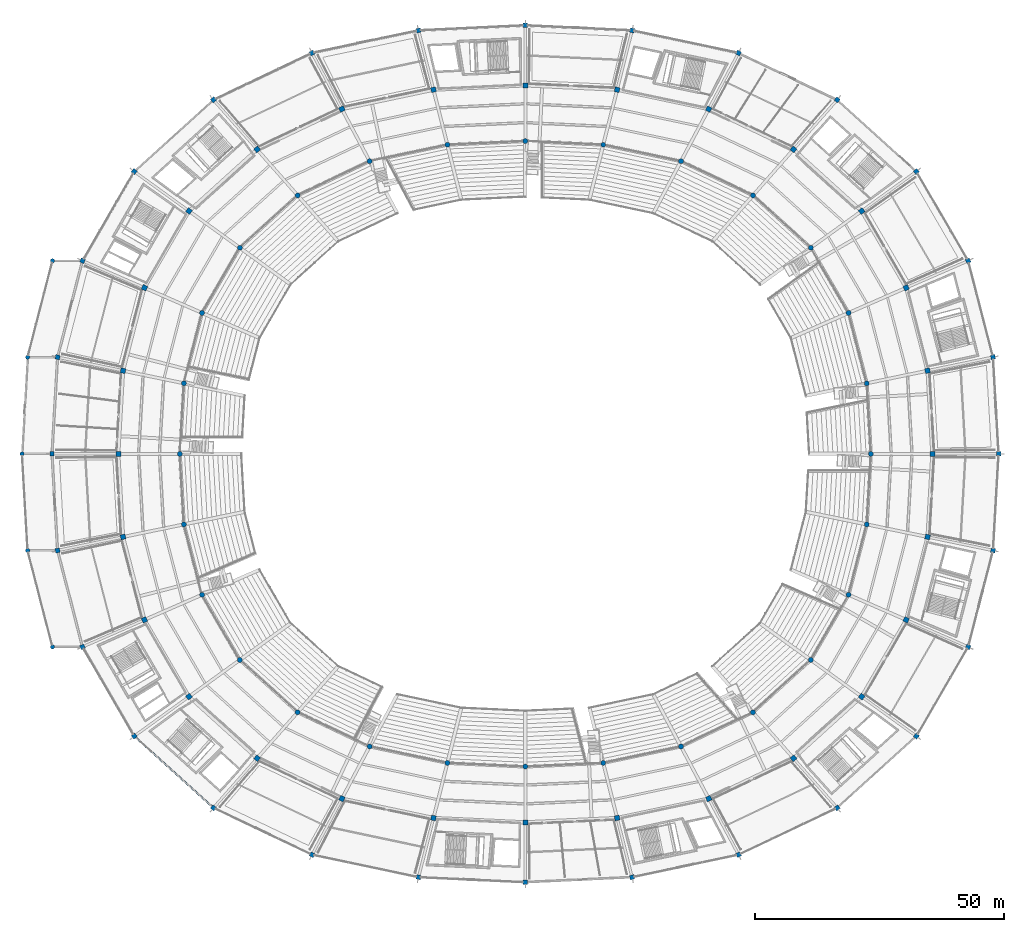
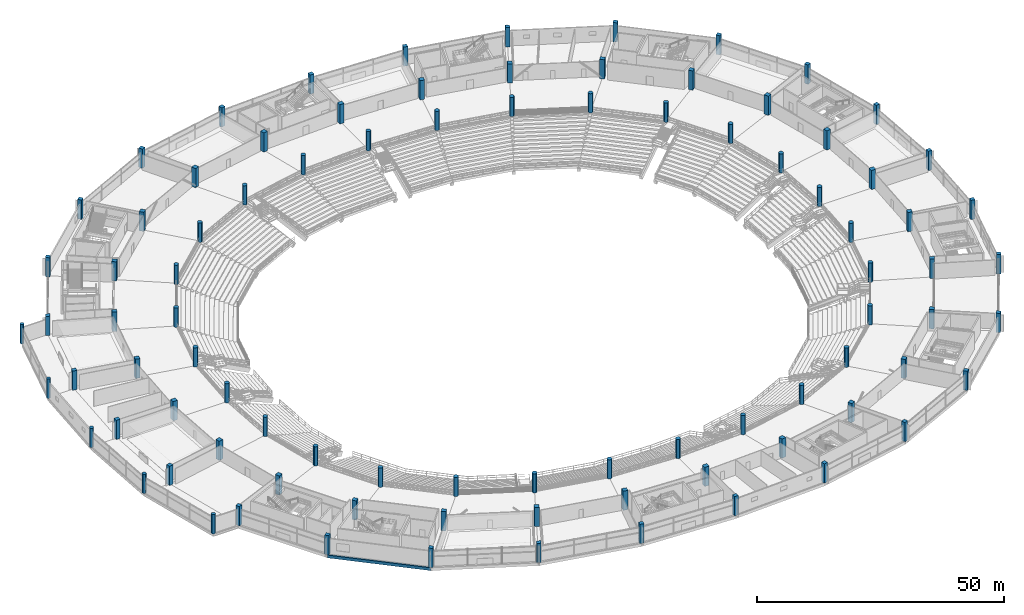
# One storey, part 1 of 156: 89 columns, 1 beam.
"""IFC4 building model written with IfcOpenShell, lengths in metres."""

from ifc_helpers import new_model, si_unit, direction, frame, origin, origin_2d, place, context, subcontext, project, spatial, rectangle, circle, extrude, material, material_profile, profile_set, type_object, element, save


model = new_model("IFC4")

# Units and contexts
model_context = context("Model", 3, precision=1e-05, world=origin(), true_north=direction((0.0, 1.0)))
body_context = subcontext(model_context, "Body", "Model", "MODEL_VIEW")
ifc_project = project(units=[si_unit("LENGTHUNIT", "METRE"), si_unit("AREAUNIT", "SQUARE_METRE"), si_unit("VOLUMEUNIT", "CUBIC_METRE"), si_unit("PLANEANGLEUNIT", "RADIAN"), si_unit("MASSUNIT", "GRAM", prefix="KILO")], contexts=[model_context])

# Site, building, storey
site_placement = place(None, origin())
site = spatial("IfcSite", under=ifc_project, at=site_placement, CompositionType="ELEMENT")
building_placement = place(site_placement, origin())
building = spatial("IfcBuilding", under=site, at=building_placement, Name="Kazemori Nagisa Stadium", CompositionType="ELEMENT")
storey_placement = place(building_placement, frame((0.0, 0.0, 5.780029296875)))
storey = spatial("IfcBuildingStorey", under=building, at=storey_placement, Name="L01", CompositionType="ELEMENT", Elevation=5.780029296875)

# Columns
ifc_material = material(Name="Concrete C40/50 (Fc42)", Category="concrete")
ifc_material_profile_1 = material_profile(ifc_material, rectangle(XDim=1.0, YDim=1.0, at=origin_2d()), Name="RC-COL-1000x1000")
ifc_profile_set_1 = profile_set([ifc_material_profile_1], Name="Concrete C40/50 (Fc42)")
column_type_1 = type_object("IfcColumnType", Name="Column_C-RC1000", PredefinedType="COLUMN", material=ifc_profile_set_1)
for number, where, z_axis, x_axis, name in (
    (1, (204.699951171875, 102.0, 0.0), (0.0, 0.0, 1.0), (1.0, 0.0, 0.0), "Column C-RC1000 L01 R2-01"),
    (2, (203.737548828125, 118.68212890625, 0.0), (0.0, 0.0, 1.0), (0.974927912182, 0.222520933954, 0.0), "Column C-RC1000 L01 R2-02"),
    (3, (199.44091796875, 135.32470703125, 0.0), (0.0, 0.0, 1.0), (0.900968867905, 0.433883739113, 0.0), "Column C-RC1000 L01 R2-03"),
    (4, (190.506103515625, 150.734130859375, 0.0), (0.0, 0.0, 1.0), (0.781831482473, 0.623489801853, 0.0), "Column C-RC1000 L01 R2-04"),
    (5, (176.834228515625, 163.11083984375, 0.0), (0.0, 0.0, 1.0), (0.623489801853, 0.781831482473, 0.0), "Column C-RC1000 L01 R2-05"),
    (6, (159.81201171875, 171.19921875, 0.0), (0.0, 0.0, 1.0), (0.433883739113, 0.900968867905, 0.0), "Column C-RC1000 L01 R2-06"),
    (7, (141.427734375, 175.088623046875, 0.0), (0.0, 0.0, 1.0), (0.222520933954, 0.974927912182, 0.0), "Column C-RC1000 L01 R2-07"),
    (8, (123.0, 175.9599609375, 0.0), (0.0, 0.0, 1.0), (0.0, 1.0, 0.0), "Column C-RC1000 L01 R2-08"),
    (9, (104.572265625, 175.088623046875, 0.0), (0.0, 0.0, 1.0), (-0.222520933954, 0.974927912182, 0.0), "Column C-RC1000 L01 R2-09"),
    (10, (86.18798828125, 171.19921875, 0.0), (0.0, 0.0, 1.0), (-0.433883739113, 0.900968867905, 0.0), "Column C-RC1000 L01 R2-10"),
    (11, (69.165771484375, 163.11083984375, 0.0), (0.0, 0.0, 1.0), (-0.623489801853, 0.781831482473, 0.0), "Column C-RC1000 L01 R2-11"),
    (12, (55.493896484375, 150.734130859375, 0.0), (0.0, 0.0, 1.0), (-0.781831482473, 0.623489801853, 0.0), "Column C-RC1000 L01 R2-12"),
    (13, (46.55908203125, 135.32470703125, 0.0), (0.0, 0.0, 1.0), (-0.900968867905, 0.433883739113, 0.0), "Column C-RC1000 L01 R2-13"),
    (14, (42.262451171875, 118.68212890625, 0.0), (0.0, 0.0, 1.0), (-0.974927912182, 0.222520933954, 0.0), "Column C-RC1000 L01 R2-14"),
    (15, (41.300048828125, 102.0, 0.0), (0.0, 0.0, 1.0), (-1.0, 0.0, 0.0), "Column C-RC1000 L01 R2-15"),
    (16, (42.262451171875, 85.31787109375, 0.0), (0.0, 0.0, 1.0), (-0.974927912182, -0.222520933954, 0.0), "Column C-RC1000 L01 R2-16"),
    (17, (46.55908203125, 68.67529296875, 0.0), (0.0, 0.0, 1.0), (-0.900968867905, -0.433883739113, 0.0), "Column C-RC1000 L01 R2-17"),
    (18, (55.493896484375, 53.265869140625, 0.0), (0.0, 0.0, 1.0), (-0.781831482473, -0.623489801853, 0.0), "Column C-RC1000 L01 R2-18"),
    (19, (69.165771484375, 40.88916015625, 0.0), (0.0, 0.0, 1.0), (-0.623489801853, -0.781831482473, 0.0), "Column C-RC1000 L01 R2-19"),
    (20, (86.18798828125, 32.80078125, 0.0), (0.0, 0.0, 1.0), (-0.433883739113, -0.900968867905, 0.0), "Column C-RC1000 L01 R2-20"),
    (21, (104.572265625, 28.911376953125, 0.0), (0.0, 0.0, 1.0), (-0.222520933954, -0.974927912182, 0.0), "Column C-RC1000 L01 R2-21"),
    (22, (123.0, 28.0400390625, 0.0), (0.0, 0.0, 1.0), (0.0, -1.0, 0.0), "Column C-RC1000 L01 R2-22"),
    (23, (141.427734375, 28.911376953125, 0.0), (0.0, 0.0, 1.0), (0.222520933954, -0.974927912182, 0.0), "Column C-RC1000 L01 R2-23"),
    (24, (159.81201171875, 32.80078125, 0.0), (0.0, 0.0, 1.0), (0.433883739113, -0.900968867905, 0.0), "Column C-RC1000 L01 R2-24"),
    (25, (176.834228515625, 40.88916015625, 0.0), (0.0, 0.0, 1.0), (0.623489801853, -0.781831482473, 0.0), "Column C-RC1000 L01 R2-25"),
    (26, (190.506103515625, 53.265869140625, 0.0), (0.0, 0.0, 1.0), (0.781831482473, -0.623489801853, 0.0), "Column C-RC1000 L01 R2-26"),
    (27, (199.44091796875, 68.67529296875, 0.0), (0.0, 0.0, 1.0), (0.900968867905, -0.433883739113, 0.0), "Column C-RC1000 L01 R2-27"),
    (28, (203.737548828125, 85.31787109375, 0.0), (0.0, 0.0, 1.0), (0.974927912182, -0.222520933954, 0.0), "Column C-RC1000 L01 R2-28"),
):
    element("IfcColumn", number, at=place(storey_placement, frame(where, z_axis=z_axis, x_axis=x_axis)), inside=storey, type_object=column_type_1, Name=name, PredefinedType="COLUMN", context=body_context, shape_type="SweptSolid", body=[
        extrude(rectangle(XDim=1.0, YDim=1.0, at=origin_2d()), origin(), (0.0, 0.0, 1.0), 4.760009765625),
    ])
ifc_material_profile_2 = material_profile(ifc_material, rectangle(XDim=0.89990234375, YDim=0.89990234375, at=origin_2d()), Name="RC-COL-900x900")
ifc_profile_set_2 = profile_set([ifc_material_profile_2], Name="Concrete C40/50 (Fc42)")
column_type_2 = type_object("IfcColumnType", Name="Column_C-RC900", PredefinedType="COLUMN", material=ifc_profile_set_2)
for number, where, z_axis, x_axis, name in (
    (29, (218.0, 102.0, 0.0), (0.0, 0.0, 1.0), (1.0, 0.0, 0.0), "Column C-RC900 L01 R3-01"),
    (30, (216.880859375, 121.397705078125, 0.0), (0.0, 0.0, 1.0), (0.974927912182, 0.222520933954, 0.0), "Column C-RC900 L01 R3-02"),
    (31, (211.885009765625, 140.74951171875, 0.0), (0.0, 0.0, 1.0), (0.900968867905, 0.433883739113, 0.0), "Column C-RC900 L01 R3-03"),
    (32, (201.495361328125, 158.667724609375, 0.0), (0.0, 0.0, 1.0), (0.781831482473, 0.623489801853, 0.0), "Column C-RC900 L01 R3-04"),
    (33, (185.597900390625, 173.05908203125, 0.0), (0.0, 0.0, 1.0), (0.623489801853, 0.781831482473, 0.0), "Column C-RC900 L01 R3-05"),
    (34, (165.8046875, 182.46435546875, 0.0), (0.0, 0.0, 1.0), (0.433883739113, 0.900968867905, 0.0), "Column C-RC900 L01 R3-06"),
    (35, (144.427734375, 186.98681640625, 0.0), (0.0, 0.0, 1.0), (0.222520933954, 0.974927912182, 0.0), "Column C-RC900 L01 R3-07"),
    (36, (123.0, 188.0, 0.0), (0.0, 0.0, 1.0), (0.0, 1.0, 0.0), "Column C-RC900 L01 R3-08"),
    (37, (101.572265625, 186.98681640625, 0.0), (0.0, 0.0, 1.0), (-0.222520933954, 0.974927912182, 0.0), "Column C-RC900 L01 R3-09"),
    (38, (80.1953125, 182.46435546875, 0.0), (0.0, 0.0, 1.0), (-0.433883739113, 0.900968867905, 0.0), "Column C-RC900 L01 R3-10"),
    (39, (60.402099609375, 173.05908203125, 0.0), (0.0, 0.0, 1.0), (-0.623489801853, 0.781831482473, 0.0), "Column C-RC900 L01 R3-11"),
    (40, (44.504638671875, 158.667724609375, 0.0), (0.0, 0.0, 1.0), (-0.781831482473, 0.623489801853, 0.0), "Column C-RC900 L01 R3-12"),
    (41, (34.114990234375, 140.74951171875, 0.0), (0.0, 0.0, 1.0), (-0.900968867905, 0.433883739113, 0.0), "Column C-RC900 L01 R3-13"),
    (42, (29.119140625, 121.397705078125, 0.0), (0.0, 0.0, 1.0), (-0.974927912182, 0.222520933954, 0.0), "Column C-RC900 L01 R3-14"),
    (43, (28.0, 102.0, 0.0), (0.0, 0.0, 1.0), (-1.0, 0.0, 0.0), "Column C-RC900 L01 R3-15"),
    (44, (29.119140625, 82.602294921875, 0.0), (0.0, 0.0, 1.0), (-0.974927912182, -0.222520933954, 0.0), "Column C-RC900 L01 R3-16"),
    (45, (34.114990234375, 63.25048828125, 0.0), (0.0, 0.0, 1.0), (-0.900968867905, -0.433883739113, 0.0), "Column C-RC900 L01 R3-17"),
    (46, (44.504638671875, 45.332275390625, 0.0), (0.0, 0.0, 1.0), (-0.781831482473, -0.623489801853, 0.0), "Column C-RC900 L01 R3-18"),
    (47, (60.402099609375, 30.94091796875, 0.0), (0.0, 0.0, 1.0), (-0.623489801853, -0.781831482473, 0.0), "Column C-RC900 L01 R3-19"),
    (48, (80.1953125, 21.53564453125, 0.0), (0.0, 0.0, 1.0), (-0.433883739113, -0.900968867905, 0.0), "Column C-RC900 L01 R3-20"),
    (49, (101.572265625, 17.01318359375, 0.0), (0.0, 0.0, 1.0), (-0.222520933954, -0.974927912182, 0.0), "Column C-RC900 L01 R3-21"),
    (50, (123.0, 16.0, 0.0), (0.0, 0.0, 1.0), (0.0, -1.0, 0.0), "Column C-RC900 L01 R3-22"),
    (51, (144.427734375, 17.01318359375, 0.0), (0.0, 0.0, 1.0), (0.222520933954, -0.974927912182, 0.0), "Column C-RC900 L01 R3-23"),
    (52, (165.8046875, 21.53564453125, 0.0), (0.0, 0.0, 1.0), (0.433883739113, -0.900968867905, 0.0), "Column C-RC900 L01 R3-24"),
    (53, (185.597900390625, 30.94091796875, 0.0), (0.0, 0.0, 1.0), (0.623489801853, -0.781831482473, 0.0), "Column C-RC900 L01 R3-25"),
    (54, (201.495361328125, 45.332275390625, 0.0), (0.0, 0.0, 1.0), (0.781831482473, -0.623489801853, 0.0), "Column C-RC900 L01 R3-26"),
    (55, (211.885009765625, 63.25048828125, 0.0), (0.0, 0.0, 1.0), (0.900968867905, -0.433883739113, 0.0), "Column C-RC900 L01 R3-27"),
    (56, (216.880859375, 82.602294921875, 0.0), (0.0, 0.0, 1.0), (0.974927912182, -0.222520933954, 0.0), "Column C-RC900 L01 R3-28"),
):
    element("IfcColumn", number, at=place(storey_placement, frame(where, z_axis=z_axis, x_axis=x_axis)), inside=storey, type_object=column_type_2, Name=name, PredefinedType="COLUMN", context=body_context, shape_type="SweptSolid", body=[
        extrude(rectangle(XDim=0.89990234375, YDim=0.89990234375, at=origin_2d()), origin(), (0.0, 0.0, 1.0), 4.760009765625),
    ])
ifc_material_profile_3 = material_profile(ifc_material, circle(Radius=0.5, at=origin_2d()), Name="RC-COL-D1000")
ifc_profile_set_3 = profile_set([ifc_material_profile_3], Name="Concrete C40/50 (Fc42)")
column_type_3 = type_object("IfcColumnType", Name="Column_C-RCD1000", PredefinedType="COLUMN", material=ifc_profile_set_3)
for number, where, z_axis, x_axis, name in (
    (57, (192.35009765625, 102.0, 0.0), (0.0, 0.0, 1.0), (1.0, 0.0, 0.0), "Column C-RCD1000 L01 R1-01"),
    (58, (191.532958984375, 116.160400390625, 0.0), (0.0, 0.0, 1.0), (0.974927912182, 0.222520933954, 0.0), "Column C-RCD1000 L01 R1-02"),
    (59, (187.885986328125, 130.287109375, 0.0), (0.0, 0.0, 1.0), (0.900968867905, 0.433883739113, 0.0), "Column C-RCD1000 L01 R1-03"),
    (60, (180.301513671875, 143.367431640625, 0.0), (0.0, 0.0, 1.0), (0.781831482473, 0.623489801853, 0.0), "Column C-RCD1000 L01 R1-04"),
    (61, (168.696533203125, 153.873046875, 0.0), (0.0, 0.0, 1.0), (0.623489801853, 0.781831482473, 0.0), "Column C-RCD1000 L01 R1-05"),
    (62, (154.24755859375, 160.739013671875, 0.0), (0.0, 0.0, 1.0), (0.433883739113, 0.900968867905, 0.0), "Column C-RCD1000 L01 R1-06"),
    (63, (138.64208984375, 164.040283203125, 0.0), (0.0, 0.0, 1.0), (0.222520933954, 0.974927912182, 0.0), "Column C-RCD1000 L01 R1-07"),
    (64, (123.0, 164.780029296875, 0.0), (0.0, 0.0, 1.0), (0.0, 1.0, 0.0), "Column C-RCD1000 L01 R1-08"),
    (65, (107.35791015625, 164.040283203125, 0.0), (0.0, 0.0, 1.0), (-0.222520933954, 0.974927912182, 0.0), "Column C-RCD1000 L01 R1-09"),
    (66, (91.75244140625, 160.739013671875, 0.0), (0.0, 0.0, 1.0), (-0.433883739113, 0.900968867905, 0.0), "Column C-RCD1000 L01 R1-10"),
    (67, (77.303466796875, 153.873046875, 0.0), (0.0, 0.0, 1.0), (-0.623489801853, 0.781831482473, 0.0), "Column C-RCD1000 L01 R1-11"),
    (68, (65.698486328125, 143.367431640625, 0.0), (0.0, 0.0, 1.0), (-0.781831482473, 0.623489801853, 0.0), "Column C-RCD1000 L01 R1-12"),
    (69, (58.114013671875, 130.287109375, 0.0), (0.0, 0.0, 1.0), (-0.900968867905, 0.433883739113, 0.0), "Column C-RCD1000 L01 R1-13"),
    (70, (54.467041015625, 116.160400390625, 0.0), (0.0, 0.0, 1.0), (-0.974927912182, 0.222520933954, 0.0), "Column C-RCD1000 L01 R1-14"),
    (71, (53.64990234375, 102.0, 0.0), (0.0, 0.0, 1.0), (-1.0, 0.0, 0.0), "Column C-RCD1000 L01 R1-15"),
    (72, (54.467041015625, 87.839599609375, 0.0), (0.0, 0.0, 1.0), (-0.974927912182, -0.222520933954, 0.0), "Column C-RCD1000 L01 R1-16"),
    (73, (58.114013671875, 73.712890625, 0.0), (0.0, 0.0, 1.0), (-0.900968867905, -0.433883739113, 0.0), "Column C-RCD1000 L01 R1-17"),
    (74, (65.698486328125, 60.632568359375, 0.0), (0.0, 0.0, 1.0), (-0.781831482473, -0.623489801853, 0.0), "Column C-RCD1000 L01 R1-18"),
    (75, (77.303466796875, 50.126953125, 0.0), (0.0, 0.0, 1.0), (-0.623489801853, -0.781831482473, 0.0), "Column C-RCD1000 L01 R1-19"),
    (76, (91.75244140625, 43.260986328125, 0.0), (0.0, 0.0, 1.0), (-0.433883739113, -0.900968867905, 0.0), "Column C-RCD1000 L01 R1-20"),
    (77, (107.35791015625, 39.959716796875, 0.0), (0.0, 0.0, 1.0), (-0.222520933954, -0.974927912182, 0.0), "Column C-RCD1000 L01 R1-21"),
    (78, (123.0, 39.219970703125, 0.0), (0.0, 0.0, 1.0), (0.0, -1.0, 0.0), "Column C-RCD1000 L01 R1-22"),
    (79, (138.64208984375, 39.959716796875, 0.0), (0.0, 0.0, 1.0), (0.222520933954, -0.974927912182, 0.0), "Column C-RCD1000 L01 R1-23"),
    (80, (154.24755859375, 43.260986328125, 0.0), (0.0, 0.0, 1.0), (0.433883739113, -0.900968867905, 0.0), "Column C-RCD1000 L01 R1-24"),
    (81, (168.696533203125, 50.126953125, 0.0), (0.0, 0.0, 1.0), (0.623489801853, -0.781831482473, 0.0), "Column C-RCD1000 L01 R1-25"),
    (82, (180.301513671875, 60.632568359375, 0.0), (0.0, 0.0, 1.0), (0.781831482473, -0.623489801853, 0.0), "Column C-RCD1000 L01 R1-26"),
    (83, (187.885986328125, 73.712890625, 0.0), (0.0, 0.0, 1.0), (0.900968867905, -0.433883739113, 0.0), "Column C-RCD1000 L01 R1-27"),
    (84, (191.532958984375, 87.839599609375, 0.0), (0.0, 0.0, 1.0), (0.974927912182, -0.222520933954, 0.0), "Column C-RCD1000 L01 R1-28"),
):
    element("IfcColumn", number, at=place(storey_placement, frame(where, z_axis=z_axis, x_axis=x_axis)), inside=storey, type_object=column_type_3, Name=name, PredefinedType="COLUMN", context=body_context, shape_type="SweptSolid", body=[
        extrude(circle(Radius=0.5, at=origin_2d()), origin(), (0.0, 0.0, 1.0), 4.760009765625),
    ])
ifc_material_profile_4 = material_profile(ifc_material, circle(Radius=0.425048828125, at=origin_2d()), Name="RC-COL-D850")
ifc_profile_set_4 = profile_set([ifc_material_profile_4], Name="Concrete C40/50 (Fc42)")
column_type_4 = type_object("IfcColumnType", Name="Column_C-RCD850", PredefinedType="COLUMN", material=ifc_profile_set_4)
for number, where, z_axis, x_axis, name in (
    (85, (28.114990234375, 140.74951171875, 0.0), (0.0, 0.0, 1.0), (1.0, 0.0, 0.0), "Boulevard column C-RCD850 L01 R4-13"),
    (86, (23.119140625, 121.397705078125, 0.0), (0.0, 0.0, 1.0), (1.0, 0.0, 0.0), "Boulevard column C-RCD850 L01 R4-14"),
    (87, (22.0, 102.0, 0.0), (0.0, 0.0, 1.0), (1.0, 0.0, 0.0), "Boulevard column C-RCD850 L01 R4-15"),
    (88, (23.119140625, 82.602294921875, 0.0), (0.0, 0.0, 1.0), (1.0, 0.0, 0.0), "Boulevard column C-RCD850 L01 R4-16"),
    (89, (28.114990234375, 63.25048828125, 0.0), (0.0, 0.0, 1.0), (1.0, 0.0, 0.0), "Boulevard column C-RCD850 L01 R4-17"),
):
    element("IfcColumn", number, at=place(storey_placement, frame(where, z_axis=z_axis, x_axis=x_axis)), inside=storey, type_object=column_type_4, Name=name, PredefinedType="COLUMN", context=body_context, shape_type="SweptSolid", body=[
        extrude(circle(Radius=0.425048828125, at=origin_2d()), origin(), (0.0, 0.0, 1.0), 4.760009765625),
    ])

# Beam
ifc_material_profile_5 = material_profile(ifc_material, rectangle(XDim=0.35009765625, YDim=0.699951171875, at=origin_2d()), Name="RC-SP-350x700")
ifc_profile_set_5 = profile_set([ifc_material_profile_5], Name="Concrete C40/50 (Fc42)")
beam_type = type_object("IfcBeamType", Name="Beam_BS-RC350X700", PredefinedType="SPANDREL", material=ifc_profile_set_5)
beam_placement = place(storey_placement, frame((44.504638671875, 45.332275390625, -0.630126953125), z_axis=(0.741351531326, -0.671116910084, 0.0), x_axis=(0.671116910084, 0.741351531326, 0.0)))
element("IfcBeam", 90, at=beam_placement, inside=storey, type_object=beam_type, Name="Ring girder BS-RC350X700 L01 R3-18", PredefinedType="SPANDREL", context=body_context, shape_type="SweptSolid", body=[
    extrude(rectangle(XDim=0.35009765625, YDim=0.699951171875, at=origin_2d()), origin(), (0.0, 0.0, 1.0), 21.44384765625),
])

save(model, "model.ifc")
